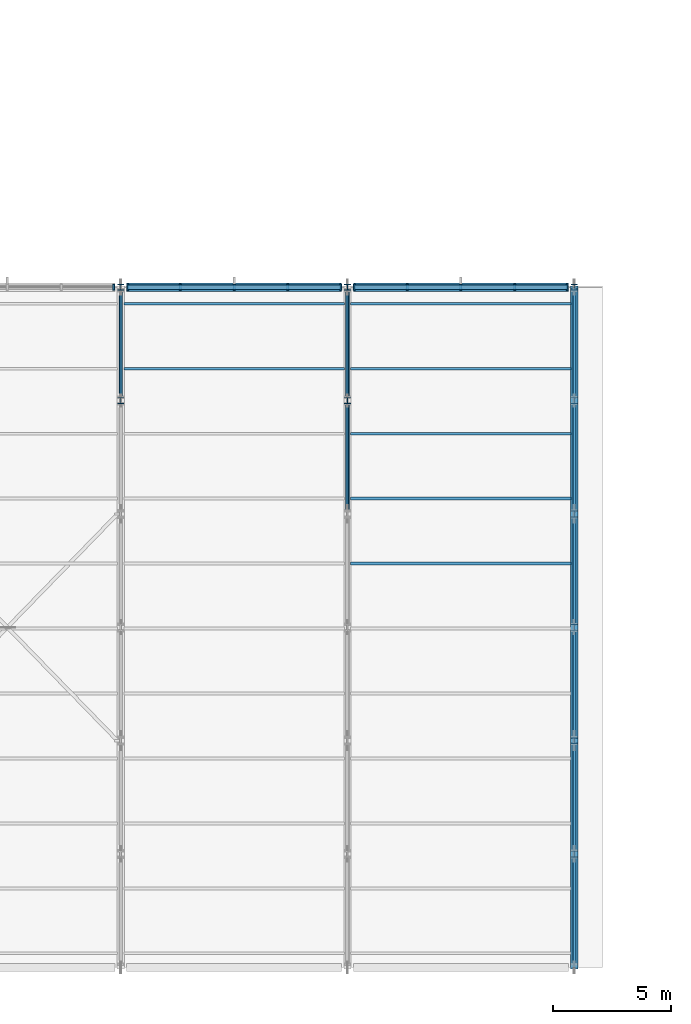
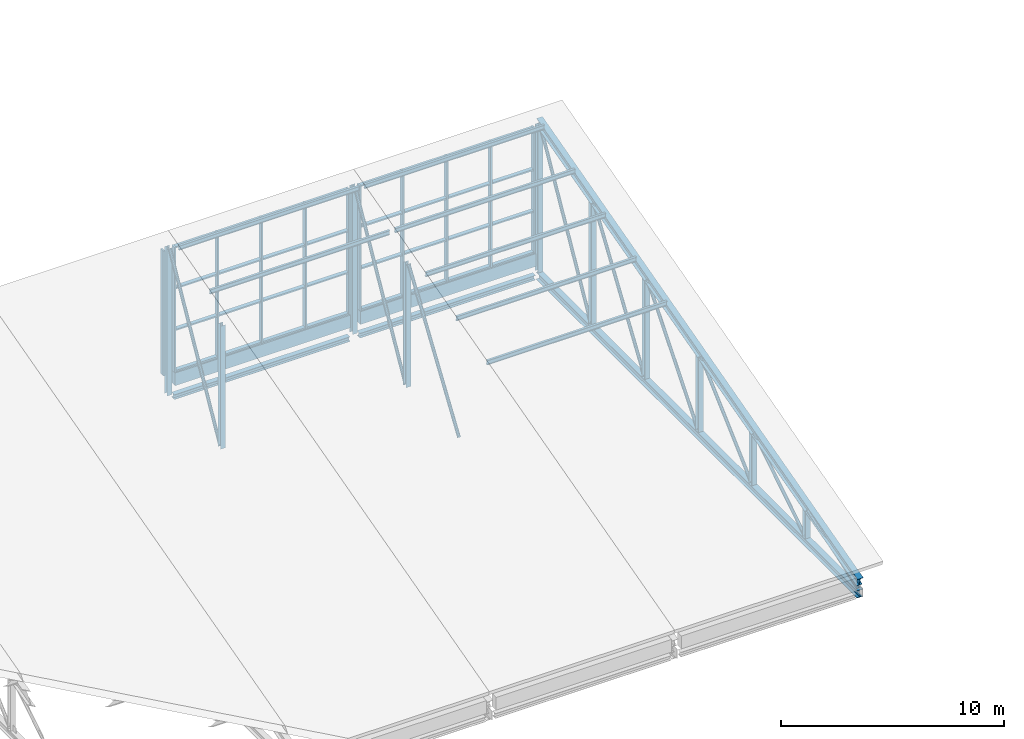
# One storey, part 10 of 57: 47 members, 4 beams, 3 elements without a shape of their own.
"""IFC4 building model written with IfcOpenShell, lengths in metres."""

from ifc_helpers import new_model, si_unit, direction, frame, origin, origin_2d, place, context, subcontext, project, spatial, rectangle, hollow_circle, i_section, extrude, material, material_profile, profile_set, type_object, element, aggregate, save


model = new_model("IFC4")

# Units and contexts
model_context = context("Model", 3, precision=1e-05, world=origin(), true_north=direction((0.0, 1.0)))
body_context = subcontext(model_context, "Body", "Model", "MODEL_VIEW")
ifc_project = project(units=[si_unit("LENGTHUNIT", "METRE"), si_unit("AREAUNIT", "SQUARE_METRE"), si_unit("VOLUMEUNIT", "CUBIC_METRE"), si_unit("PLANEANGLEUNIT", "RADIAN"), si_unit("MASSUNIT", "GRAM", prefix="KILO")], contexts=[model_context])

# Site, building, storey
site_placement = place(None, origin())
site = spatial("IfcSite", under=ifc_project, at=site_placement, CompositionType="ELEMENT")
building_placement = place(site_placement, origin())
building = spatial("IfcBuilding", under=site, at=building_placement, Name="Shalvenor Court Art Gallery", CompositionType="ELEMENT")
storey_placement = place(building_placement, frame((0.0, 0.0, 16.800048828125)))
storey = spatial("IfcBuildingStorey", under=building, at=storey_placement, Name="L03", CompositionType="ELEMENT", Elevation=16.800048828125)

# Curtain wall, member
ifc_material_1 = material(Name="Anodised aluminium and low-iron glass curtain wall", Category="aluminium")
curtain_wall_type = type_object("IfcCurtainWallType", Name="CW-NL-V4", PredefinedType="USERDEFINED", material=ifc_material_1)
curtain_wall_1_placement = place(storey_placement, origin())
curtain_wall_1 = element("IfcCurtainWall", 1, at=curtain_wall_1_placement, inside=storey, type_object=curtain_wall_type, Name="L03 V4 North Light Clerestory 5", ObjectType="CURTAIN WALL", PredefinedType="USERDEFINED")
ifc_material_2 = material(Name="Dark anodised bronze aluminium mullion", Category="aluminium")
ifc_material_profile_1 = material_profile(ifc_material_2, rectangle(XDim=0.080078125, YDim=0.239990234375, at=origin_2d()), Name="CWM-05")
ifc_profile_set_1 = profile_set([ifc_material_profile_1], Name="Dark anodised bronze aluminium mullion")
member_type_1 = type_object("IfcMemberType", Name="CWM-05", PredefinedType="MULLION", material=ifc_profile_set_1)
member_1_placement = place(storey_placement, frame((47.7099609375, 28.800048828125, 0.0), z_axis=(0.0, 0.0, 1.0), x_axis=(1.0, 0.0, 0.0)))
member_1 = element("IfcMember", 2, at=member_1_placement, type_object=member_type_1, Name="CW-NL-V4 mullion 5", PredefinedType="MULLION", context=body_context, shape_type="SweptSolid", body=[
    extrude(rectangle(XDim=0.080078125, YDim=0.239990234375, at=origin_2d()), origin(), (0.0, 0.0, 1.0), 6.849853515625),
])
aggregate(curtain_wall_1, [member_1])

# Curtain wall, members
curtain_wall_2_placement = place(storey_placement, origin())
curtain_wall_2 = element("IfcCurtainWall", 3, at=curtain_wall_2_placement, inside=storey, type_object=curtain_wall_type, Name="L03 V4 North Light Clerestory 6", ObjectType="CURTAIN WALL", PredefinedType="USERDEFINED")
member_2_placement = place(storey_placement, frame((48.2900390625, 28.800048828125, 0.0), z_axis=(0.0, 0.0, 1.0), x_axis=(1.0, 0.0, 0.0)))
member_2 = element("IfcMember", 4, at=member_2_placement, type_object=member_type_1, Name="CW-NL-V4 mullion 1", PredefinedType="MULLION", context=body_context, shape_type="SweptSolid", body=[
    extrude(rectangle(XDim=0.080078125, YDim=0.239990234375, at=origin_2d()), origin(), (0.0, 0.0, 1.0), 6.849853515625),
])
member_3_placement = place(storey_placement, frame((50.52490234375, 28.800048828125, 0.0), z_axis=(0.0, 0.0, 1.0), x_axis=(1.0, 0.0, 0.0)))
member_3 = element("IfcMember", 5, at=member_3_placement, type_object=member_type_1, Name="CW-NL-V4 mullion 2", PredefinedType="MULLION", context=body_context, shape_type="SweptSolid", body=[
    extrude(rectangle(XDim=0.080078125, YDim=0.239990234375, at=origin_2d()), origin(), (0.0, 0.0, 1.0), 6.849853515625),
])
member_4_placement = place(storey_placement, frame((52.800048828125, 28.800048828125, 0.0), z_axis=(0.0, 0.0, 1.0), x_axis=(1.0, 0.0, 0.0)))
member_4 = element("IfcMember", 6, at=member_4_placement, type_object=member_type_1, Name="CW-NL-V4 mullion 3", PredefinedType="MULLION", context=body_context, shape_type="SweptSolid", body=[
    extrude(rectangle(XDim=0.080078125, YDim=0.239990234375, at=origin_2d()), origin(), (0.0, 0.0, 1.0), 6.849853515625),
])
member_5_placement = place(storey_placement, frame((55.074951171875, 28.800048828125, 0.0), z_axis=(0.0, 0.0, 1.0), x_axis=(1.0, 0.0, 0.0)))
member_5 = element("IfcMember", 7, at=member_5_placement, type_object=member_type_1, Name="CW-NL-V4 mullion 4", PredefinedType="MULLION", context=body_context, shape_type="SweptSolid", body=[
    extrude(rectangle(XDim=0.080078125, YDim=0.239990234375, at=origin_2d()), origin(), (0.0, 0.0, 1.0), 6.849853515625),
])
member_6_placement = place(storey_placement, frame((57.31005859375, 28.800048828125, 0.0), z_axis=(0.0, 0.0, 1.0), x_axis=(1.0, 0.0, 0.0)))
member_6 = element("IfcMember", 8, at=member_6_placement, type_object=member_type_1, Name="CW-NL-V4 mullion 5", PredefinedType="MULLION", context=body_context, shape_type="SweptSolid", body=[
    extrude(rectangle(XDim=0.080078125, YDim=0.239990234375, at=origin_2d()), origin(), (0.0, 0.0, 1.0), 6.849853515625),
])

curtain_wall_3_placement = place(storey_placement, origin())
curtain_wall_3 = element("IfcCurtainWall", 9, at=curtain_wall_3_placement, inside=storey, type_object=curtain_wall_type, Name="L03 V4 North Light Clerestory 7", ObjectType="CURTAIN WALL", PredefinedType="USERDEFINED")
member_7_placement = place(storey_placement, frame((57.889892578125, 28.800048828125, 0.0), z_axis=(0.0, 0.0, 1.0), x_axis=(1.0, 0.0, 0.0)))
member_7 = element("IfcMember", 10, at=member_7_placement, type_object=member_type_1, Name="CW-NL-V4 mullion 1", PredefinedType="MULLION", context=body_context, shape_type="SweptSolid", body=[
    extrude(rectangle(XDim=0.080078125, YDim=0.239990234375, at=origin_2d()), origin(), (0.0, 0.0, 1.0), 6.849853515625),
])
member_8_placement = place(storey_placement, frame((60.125, 28.800048828125, 0.0), z_axis=(0.0, 0.0, 1.0), x_axis=(1.0, 0.0, 0.0)))
member_8 = element("IfcMember", 11, at=member_8_placement, type_object=member_type_1, Name="CW-NL-V4 mullion 2", PredefinedType="MULLION", context=body_context, shape_type="SweptSolid", body=[
    extrude(rectangle(XDim=0.080078125, YDim=0.239990234375, at=origin_2d()), origin(), (0.0, 0.0, 1.0), 6.849853515625),
])
member_9_placement = place(storey_placement, frame((62.39990234375, 28.800048828125, 0.0), z_axis=(0.0, 0.0, 1.0), x_axis=(1.0, 0.0, 0.0)))
member_9 = element("IfcMember", 12, at=member_9_placement, type_object=member_type_1, Name="CW-NL-V4 mullion 3", PredefinedType="MULLION", context=body_context, shape_type="SweptSolid", body=[
    extrude(rectangle(XDim=0.080078125, YDim=0.239990234375, at=origin_2d()), origin(), (0.0, 0.0, 1.0), 6.849853515625),
])
member_10_placement = place(storey_placement, frame((64.675048828125, 28.800048828125, 0.0), z_axis=(0.0, 0.0, 1.0), x_axis=(1.0, 0.0, 0.0)))
member_10 = element("IfcMember", 13, at=member_10_placement, type_object=member_type_1, Name="CW-NL-V4 mullion 4", PredefinedType="MULLION", context=body_context, shape_type="SweptSolid", body=[
    extrude(rectangle(XDim=0.080078125, YDim=0.239990234375, at=origin_2d()), origin(), (0.0, 0.0, 1.0), 6.849853515625),
])
member_11_placement = place(storey_placement, frame((66.909912109375, 28.800048828125, 0.0), z_axis=(0.0, 0.0, 1.0), x_axis=(1.0, 0.0, 0.0)))
member_11 = element("IfcMember", 14, at=member_11_placement, type_object=member_type_1, Name="CW-NL-V4 mullion 5", PredefinedType="MULLION", context=body_context, shape_type="SweptSolid", body=[
    extrude(rectangle(XDim=0.080078125, YDim=0.239990234375, at=origin_2d()), origin(), (0.0, 0.0, 1.0), 6.849853515625),
])

# Member
ifc_material_3 = material(Name="Dark anodised bronze aluminium transom", Category="aluminium")
ifc_material_profile_2 = material_profile(ifc_material_3, rectangle(XDim=0.2099609375, YDim=0.074951171875, at=origin_2d()), Name="CWT-05")
ifc_profile_set_2 = profile_set([ifc_material_profile_2], Name="Dark anodised bronze aluminium transom")
member_type_2 = type_object("IfcMemberType", Name="CWT-05", PredefinedType="USERDEFINED", material=ifc_profile_set_2)
member_12_placement = place(storey_placement, frame((48.2900390625, 28.800048828125, 0.037353515625), z_axis=(1.0, 0.0, 0.0), x_axis=(0.0, 1.0, 0.0)))
member_12 = element("IfcMember", 15, at=member_12_placement, type_object=member_type_2, Name="CW-NL-V4 transom 1", ObjectType="TRANSOM", PredefinedType="USERDEFINED", context=body_context, shape_type="SweptSolid", body=[
    extrude(rectangle(XDim=0.2099609375, YDim=0.074951171875, at=origin_2d()), origin(), (0.0, 0.0, 1.0), 9.02001953125),
])

member_13_placement = place(storey_placement, frame((48.2900390625, 28.800048828125, 2.283203125), z_axis=(1.0, 0.0, 0.0), x_axis=(0.0, 1.0, 0.0)))
member_13 = element("IfcMember", 16, at=member_13_placement, type_object=member_type_2, Name="CW-NL-V4 transom 2", ObjectType="TRANSOM", PredefinedType="USERDEFINED", context=body_context, shape_type="SweptSolid", body=[
    extrude(rectangle(XDim=0.2099609375, YDim=0.074951171875, at=origin_2d()), origin(), (0.0, 0.0, 1.0), 9.02001953125),
])

member_14_placement = place(storey_placement, frame((48.2900390625, 28.800048828125, 4.566650390625), z_axis=(1.0, 0.0, 0.0), x_axis=(0.0, 1.0, 0.0)))
member_14 = element("IfcMember", 17, at=member_14_placement, type_object=member_type_2, Name="CW-NL-V4 transom 3", ObjectType="TRANSOM", PredefinedType="USERDEFINED", context=body_context, shape_type="SweptSolid", body=[
    extrude(rectangle(XDim=0.2099609375, YDim=0.074951171875, at=origin_2d()), origin(), (0.0, 0.0, 1.0), 9.02001953125),
])

member_15_placement = place(storey_placement, frame((48.2900390625, 28.800048828125, 6.8125), z_axis=(1.0, 0.0, 0.0), x_axis=(0.0, 1.0, 0.0)))
member_15 = element("IfcMember", 18, at=member_15_placement, type_object=member_type_2, Name="CW-NL-V4 transom 4", ObjectType="TRANSOM", PredefinedType="USERDEFINED", context=body_context, shape_type="SweptSolid", body=[
    extrude(rectangle(XDim=0.2099609375, YDim=0.074951171875, at=origin_2d()), origin(), (0.0, 0.0, 1.0), 9.02001953125),
])

aggregate(curtain_wall_2, [member_2, member_3, member_4, member_5, member_6, member_12, member_13, member_14, member_15])

member_16_placement = place(storey_placement, frame((57.889892578125, 28.800048828125, 0.037353515625), z_axis=(1.0, 0.0, 0.0), x_axis=(0.0, 1.0, 0.0)))
member_16 = element("IfcMember", 19, at=member_16_placement, type_object=member_type_2, Name="CW-NL-V4 transom 1", ObjectType="TRANSOM", PredefinedType="USERDEFINED", context=body_context, shape_type="SweptSolid", body=[
    extrude(rectangle(XDim=0.2099609375, YDim=0.074951171875, at=origin_2d()), origin(), (0.0, 0.0, 1.0), 9.02001953125),
])

member_17_placement = place(storey_placement, frame((57.889892578125, 28.800048828125, 2.283203125), z_axis=(1.0, 0.0, 0.0), x_axis=(0.0, 1.0, 0.0)))
member_17 = element("IfcMember", 20, at=member_17_placement, type_object=member_type_2, Name="CW-NL-V4 transom 2", ObjectType="TRANSOM", PredefinedType="USERDEFINED", context=body_context, shape_type="SweptSolid", body=[
    extrude(rectangle(XDim=0.2099609375, YDim=0.074951171875, at=origin_2d()), origin(), (0.0, 0.0, 1.0), 9.02001953125),
])

member_18_placement = place(storey_placement, frame((57.889892578125, 28.800048828125, 4.566650390625), z_axis=(1.0, 0.0, 0.0), x_axis=(0.0, 1.0, 0.0)))
member_18 = element("IfcMember", 21, at=member_18_placement, type_object=member_type_2, Name="CW-NL-V4 transom 3", ObjectType="TRANSOM", PredefinedType="USERDEFINED", context=body_context, shape_type="SweptSolid", body=[
    extrude(rectangle(XDim=0.2099609375, YDim=0.074951171875, at=origin_2d()), origin(), (0.0, 0.0, 1.0), 9.02001953125),
])

member_19_placement = place(storey_placement, frame((57.889892578125, 28.800048828125, 6.8125), z_axis=(1.0, 0.0, 0.0), x_axis=(0.0, 1.0, 0.0)))
member_19 = element("IfcMember", 22, at=member_19_placement, type_object=member_type_2, Name="CW-NL-V4 transom 4", ObjectType="TRANSOM", PredefinedType="USERDEFINED", context=body_context, shape_type="SweptSolid", body=[
    extrude(rectangle(XDim=0.2099609375, YDim=0.074951171875, at=origin_2d()), origin(), (0.0, 0.0, 1.0), 9.02001953125),
])

aggregate(curtain_wall_3, [member_7, member_8, member_9, member_10, member_11, member_16, member_17, member_18, member_19])

# Members
ifc_material_4 = material(Name="Steel S355", Category="steel")
ifc_material_profile_3 = material_profile(ifc_material_4, i_section(OverallWidth=0.1201171875, OverallDepth=0.239990234375, WebThickness=0.006103515625, FlangeThickness=0.009765625, at=origin_2d()), Name="IPE 240")
ifc_profile_set_3 = profile_set([ifc_material_profile_3], Name="Steel S355")
member_type_3 = type_object("IfcMemberType", Name="PR-02", PredefinedType="PURLIN", material=ifc_profile_set_3)
for number, where, z_axis, x_axis, name in (
    (23, (48.135009765625, 25.35009765625, 6.4892578125), (1.0, 0.0, 0.0), (0.0, 1.0, 0.0), "L03 V4 Roof Purlin 6.10"),
    (24, (48.135009765625, 28.10009765625, 7.234130859375), (1.0, 0.0, 0.0), (0.0, 1.0, 0.0), "L03 V4 Roof Purlin 6.11"),
):
    element("IfcMember", number, at=place(storey_placement, frame(where, z_axis=z_axis, x_axis=x_axis)), inside=storey, type_object=member_type_3, Name=name, PredefinedType="PURLIN", context=body_context, shape_type="SweptSolid", body=[
        extrude(i_section(OverallWidth=0.1201171875, OverallDepth=0.239990234375, WebThickness=0.006103515625, FlangeThickness=0.009765625, at=origin_2d()), origin(), (0.0, 0.0, 1.0), 9.330078125),
    ])
for number, where, z_axis, x_axis, name in (
    (25, (57.735107421875, 17.10009765625, 4.2548828125), (1.0, 0.0, 0.0), (0.0, 1.0, 0.0), "L03 V4 Roof Purlin 7.7"),
    (26, (57.735107421875, 19.85009765625, 4.999755859375), (1.0, 0.0, 0.0), (0.0, 1.0, 0.0), "L03 V4 Roof Purlin 7.8"),
    (27, (57.735107421875, 22.60009765625, 5.744384765625), (1.0, 0.0, 0.0), (0.0, 1.0, 0.0), "L03 V4 Roof Purlin 7.9"),
    (28, (57.735107421875, 25.35009765625, 6.4892578125), (1.0, 0.0, 0.0), (0.0, 1.0, 0.0), "L03 V4 Roof Purlin 7.10"),
    (29, (57.735107421875, 28.10009765625, 7.234130859375), (1.0, 0.0, 0.0), (0.0, 1.0, 0.0), "L03 V4 Roof Purlin 7.11"),
):
    element("IfcMember", number, at=place(storey_placement, frame(where, z_axis=z_axis, x_axis=x_axis)), inside=storey, type_object=member_type_3, Name=name, PredefinedType="PURLIN", context=body_context, shape_type="SweptSolid", body=[
        extrude(i_section(OverallWidth=0.1201171875, OverallDepth=0.239990234375, WebThickness=0.006103515625, FlangeThickness=0.009765625, at=origin_2d()), origin(), (0.0, 0.0, 1.0), 9.329833984375),
    ])

# Beams
ifc_material_5 = material(Name="Concrete C40/50", Category="concrete")
ifc_material_profile_4 = material_profile(ifc_material_5, rectangle(XDim=0.35009765625, YDim=0.699951171875, at=origin_2d()), Name="RC 350x700")
ifc_profile_set_4 = profile_set([ifc_material_profile_4], Name="Concrete C40/50")
beam_type_1 = type_object("IfcBeamType", Name="SP-01", PredefinedType="SPANDREL", material=ifc_profile_set_4)
beam_1_placement = place(storey_placement, frame((48.25, 28.800048828125, -0.35009765625), z_axis=(1.0, 0.0, 0.0), x_axis=(0.0, 1.0, 0.0)))
element("IfcBeam", 30, at=beam_1_placement, inside=storey, type_object=beam_type_1, Name="L03 Spandrel Girder BM-L03-SP-01-1062", PredefinedType="SPANDREL", context=body_context, shape_type="SweptSolid", body=[
    extrude(rectangle(XDim=0.35009765625, YDim=0.699951171875, at=origin_2d()), origin(), (0.0, 0.0, 1.0), 9.10009765625),
])
beam_2_placement = place(storey_placement, frame((57.85009765625, 28.800048828125, -0.35009765625), z_axis=(1.0, 0.0, 0.0), x_axis=(0.0, 1.0, 0.0)))
element("IfcBeam", 31, at=beam_2_placement, inside=storey, type_object=beam_type_1, Name="L03 Spandrel Girder BM-L03-SP-01-1063", PredefinedType="SPANDREL", context=body_context, shape_type="SweptSolid", body=[
    extrude(rectangle(XDim=0.35009765625, YDim=0.699951171875, at=origin_2d()), origin(), (0.0, 0.0, 1.0), 9.099853515625),
])
ifc_material_6 = material(Name="Steel S355", Category="steel")
ifc_material_profile_5 = material_profile(ifc_material_6, i_section(OverallWidth=0.300048828125, OverallDepth=0.43994140625, WebThickness=0.011474609375, FlangeThickness=0.02099609375, at=origin_2d()), Name="HEA 450")
ifc_profile_set_5 = profile_set([ifc_material_profile_5], Name="Steel S355")
beam_type_2 = type_object("IfcBeamType", Name="TC-02", PredefinedType="USERDEFINED", material=ifc_profile_set_5)
beam_3_placement = place(storey_placement, frame((67.199951171875, 0.0, -0.708251953125), z_axis=(0.0, 0.965228135416, 0.261408964271), x_axis=(-1.0, 0.0, 0.0)))
element("IfcBeam", 32, at=beam_3_placement, inside=storey, type_object=beam_type_2, Name="TR-V4-08 Roof Truss Continuous Top Chord", ObjectType="ROOF TRUSS", PredefinedType="USERDEFINED", context=body_context, shape_type="SweptSolid", body=[
    extrude(i_section(OverallWidth=0.300048828125, OverallDepth=0.43994140625, WebThickness=0.011474609375, FlangeThickness=0.02099609375, at=origin_2d()), origin(), (0.0, 0.0, 1.0), 29.837646484375),
])
ifc_material_7 = material(Name="Steel S355", Category="steel")
ifc_material_profile_6 = material_profile(ifc_material_7, i_section(OverallWidth=0.300048828125, OverallDepth=0.39990234375, WebThickness=0.013427734375, FlangeThickness=0.02392578125, at=origin_2d()), Name="HEB 400")
ifc_profile_set_6 = profile_set([ifc_material_profile_6], Name="Steel S355")
beam_type_3 = type_object("IfcBeamType", Name="TC-04", PredefinedType="USERDEFINED", material=ifc_profile_set_6)
beam_4_placement = place(storey_placement, frame((67.199951171875, 0.0, -1.35009765625), z_axis=(0.0, 1.0, 0.0), x_axis=(-1.0, 0.0, 0.0)))
element("IfcBeam", 33, at=beam_4_placement, inside=storey, type_object=beam_type_3, Name="TR-V4-08 Roof Truss Continuous Bottom Chord", ObjectType="ROOF TRUSS", PredefinedType="USERDEFINED", context=body_context, shape_type="SweptSolid", body=[
    extrude(i_section(OverallWidth=0.300048828125, OverallDepth=0.39990234375, WebThickness=0.013427734375, FlangeThickness=0.02392578125, at=origin_2d()), origin(), (0.0, 0.0, 1.0), 28.800048828125),
])

# Members
ifc_material_8 = material(Name="Steel S355", Category="steel")
ifc_material_profile_7 = material_profile(ifc_material_8, i_section(OverallWidth=0.260009765625, OverallDepth=0.260009765625, WebThickness=0.010009765625, FlangeThickness=0.017578125, at=origin_2d()), Name="HEB 260")
ifc_profile_set_7 = profile_set([ifc_material_profile_7], Name="Steel S355")
member_type_4 = type_object("IfcMemberType", Name="TM-C1", PredefinedType="CHORD", material=ifc_profile_set_7)
member_20_placement = place(storey_placement, frame((48.25, 28.800048828125, -1.35009765625), z_axis=(1.0, 0.0, 0.0), x_axis=(0.0, 1.0, 0.0)))
element("IfcMember", 34, at=member_20_placement, inside=storey, type_object=member_type_4, Name="L03 V4 Eave Truss Chord Tie 6.2", PredefinedType="CHORD", context=body_context, shape_type="SweptSolid", body=[
    extrude(i_section(OverallWidth=0.260009765625, OverallDepth=0.260009765625, WebThickness=0.010009765625, FlangeThickness=0.017578125, at=origin_2d()), origin(), (0.0, 0.0, 1.0), 9.10009765625),
])
member_21_placement = place(storey_placement, frame((57.85009765625, 28.800048828125, -1.35009765625), z_axis=(1.0, 0.0, 0.0), x_axis=(0.0, 1.0, 0.0)))
element("IfcMember", 35, at=member_21_placement, inside=storey, type_object=member_type_4, Name="L03 V4 Eave Truss Chord Tie 7.2", PredefinedType="CHORD", context=body_context, shape_type="SweptSolid", body=[
    extrude(i_section(OverallWidth=0.260009765625, OverallDepth=0.260009765625, WebThickness=0.010009765625, FlangeThickness=0.017578125, at=origin_2d()), origin(), (0.0, 0.0, 1.0), 9.099853515625),
])
ifc_material_9 = material(Name="Steel S355", Category="steel")
ifc_material_profile_8 = material_profile(ifc_material_9, hollow_circle(Radius=0.084228515625, WallThickness=0.008056640625, at=origin_2d()), Name="CHS 168.3x8.0")
ifc_profile_set_8 = profile_set([ifc_material_profile_8], Name="Steel S355")
member_type_5 = type_object("IfcMemberType", Name="TM-D2", PredefinedType="BRACE", material=ifc_profile_set_8)
member_22_placement = place(storey_placement, frame((48.0, 24.139892578125, -1.16015625), z_axis=(0.0, 0.489975986484, 0.871735930583), x_axis=(-1.0, 0.0, 0.0)))
element("IfcMember", 36, at=member_22_placement, inside=storey, type_object=member_type_5, Name="TR-V4-06 Roof Truss Diagonal 6", PredefinedType="BRACE", context=body_context, shape_type="SweptSolid", body=[
    extrude(hollow_circle(Radius=0.084228515625, WallThickness=0.008056640625, at=origin_2d()), origin(), (0.0, 0.0, 1.0), 9.22509765625),
])
member_23_placement = place(storey_placement, frame((57.60009765625, 19.340087890625, -1.16015625), z_axis=(0.0, 0.556877845095, 0.830594405015), x_axis=(-1.0, 0.0, 0.0)))
element("IfcMember", 37, at=member_23_placement, inside=storey, type_object=member_type_5, Name="TR-V4-07 Roof Truss Diagonal 5", PredefinedType="BRACE", context=body_context, shape_type="SweptSolid", body=[
    extrude(hollow_circle(Radius=0.084228515625, WallThickness=0.008056640625, at=origin_2d()), origin(), (0.0, 0.0, 1.0), 8.11669921875),
])
member_24_placement = place(storey_placement, frame((57.60009765625, 24.139892578125, -1.16015625), z_axis=(0.0, 0.489975986484, 0.871735930583), x_axis=(-1.0, 0.0, 0.0)))
element("IfcMember", 38, at=member_24_placement, inside=storey, type_object=member_type_5, Name="TR-V4-07 Roof Truss Diagonal 6", PredefinedType="BRACE", context=body_context, shape_type="SweptSolid", body=[
    extrude(hollow_circle(Radius=0.084228515625, WallThickness=0.008056640625, at=origin_2d()), origin(), (0.0, 0.0, 1.0), 9.22509765625),
])
member_25_placement = place(storey_placement, frame((67.199951171875, 0.139892578125, -1.16015625), z_axis=(0.0, 0.946456948747, 0.322830054625), x_axis=(-1.0, 0.0, 0.0)))
element("IfcMember", 39, at=member_25_placement, inside=storey, type_object=member_type_5, Name="TR-V4-08 Roof Truss Diagonal 1", PredefinedType="BRACE", context=body_context, shape_type="SweptSolid", body=[
    extrude(hollow_circle(Radius=0.084228515625, WallThickness=0.008056640625, at=origin_2d()), origin(), (0.0, 0.0, 1.0), 4.775634765625),
])
member_26_placement = place(storey_placement, frame((67.199951171875, 4.93994140625, -1.16015625), z_axis=(0.0, 0.84658238997, 0.532257697918), x_axis=(-1.0, 0.0, 0.0)))
element("IfcMember", 40, at=member_26_placement, inside=storey, type_object=member_type_5, Name="TR-V4-08 Roof Truss Diagonal 2", PredefinedType="BRACE", context=body_context, shape_type="SweptSolid", body=[
    extrude(hollow_circle(Radius=0.084228515625, WallThickness=0.008056640625, at=origin_2d()), origin(), (0.0, 0.0, 1.0), 5.339111328125),
])
member_27_placement = place(storey_placement, frame((67.199951171875, 9.739990234375, -1.16015625), z_axis=(0.0, 0.737276451266, 0.675591174016), x_axis=(-1.0, 0.0, 0.0)))
element("IfcMember", 41, at=member_27_placement, inside=storey, type_object=member_type_5, Name="TR-V4-08 Roof Truss Diagonal 3", PredefinedType="BRACE", context=body_context, shape_type="SweptSolid", body=[
    extrude(hollow_circle(Radius=0.084228515625, WallThickness=0.008056640625, at=origin_2d()), origin(), (0.0, 0.0, 1.0), 6.130615234375),
])
member_28_placement = place(storey_placement, frame((67.199951171875, 14.5400390625, -1.16015625), z_axis=(0.0, 0.638941157708, 0.769255612256), x_axis=(-1.0, 0.0, 0.0)))
element("IfcMember", 42, at=member_28_placement, inside=storey, type_object=member_type_5, Name="TR-V4-08 Roof Truss Diagonal 4", PredefinedType="BRACE", context=body_context, shape_type="SweptSolid", body=[
    extrude(hollow_circle(Radius=0.084228515625, WallThickness=0.008056640625, at=origin_2d()), origin(), (0.0, 0.0, 1.0), 7.07421875),
])
member_29_placement = place(storey_placement, frame((67.199951171875, 19.340087890625, -1.16015625), z_axis=(0.0, 0.556877845095, 0.830594405015), x_axis=(-1.0, 0.0, 0.0)))
element("IfcMember", 43, at=member_29_placement, inside=storey, type_object=member_type_5, Name="TR-V4-08 Roof Truss Diagonal 5", PredefinedType="BRACE", context=body_context, shape_type="SweptSolid", body=[
    extrude(hollow_circle(Radius=0.084228515625, WallThickness=0.008056640625, at=origin_2d()), origin(), (0.0, 0.0, 1.0), 8.11669921875),
])
member_30_placement = place(storey_placement, frame((67.199951171875, 24.139892578125, -1.16015625), z_axis=(0.0, 0.489975986484, 0.871735930583), x_axis=(-1.0, 0.0, 0.0)))
element("IfcMember", 44, at=member_30_placement, inside=storey, type_object=member_type_5, Name="TR-V4-08 Roof Truss Diagonal 6", PredefinedType="BRACE", context=body_context, shape_type="SweptSolid", body=[
    extrude(hollow_circle(Radius=0.084228515625, WallThickness=0.008056640625, at=origin_2d()), origin(), (0.0, 0.0, 1.0), 9.22509765625),
])
ifc_material_10 = material(Name="Steel S355", Category="steel")
ifc_material_profile_9 = material_profile(ifc_material_10, i_section(OverallWidth=0.260009765625, OverallDepth=0.260009765625, WebThickness=0.010009765625, FlangeThickness=0.017578125, at=origin_2d()), Name="HEB 260")
ifc_profile_set_9 = profile_set([ifc_material_profile_9], Name="Steel S355")
member_type_6 = type_object("IfcMemberType", Name="TM-V1", PredefinedType="STRUT", material=ifc_profile_set_9)
member_31_placement = place(storey_placement, frame((48.0, 24.0, -1.155029296875), z_axis=(0.0, 0.0, 1.0), x_axis=(1.0, 0.0, 0.0)))
element("IfcMember", 45, at=member_31_placement, inside=storey, type_object=member_type_6, Name="TR-V4-06 Roof Truss Vertical 6", PredefinedType="STRUT", context=body_context, shape_type="SweptSolid", body=[
    extrude(i_section(OverallWidth=0.260009765625, OverallDepth=0.260009765625, WebThickness=0.010009765625, FlangeThickness=0.017578125, at=origin_2d()), origin(), (0.0, 0.0, 1.0), 6.731689453125),
])
member_32_placement = place(storey_placement, frame((48.0, 28.800048828125, -1.155029296875), z_axis=(0.0, 0.0, 1.0), x_axis=(1.0, 0.0, 0.0)))
element("IfcMember", 46, at=member_32_placement, inside=storey, type_object=member_type_6, Name="TR-V4-06 Roof Truss Vertical 7", PredefinedType="STRUT", context=body_context, shape_type="SweptSolid", body=[
    extrude(i_section(OverallWidth=0.260009765625, OverallDepth=0.260009765625, WebThickness=0.010009765625, FlangeThickness=0.017578125, at=origin_2d()), origin(), (0.0, 0.0, 1.0), 8.03173828125),
])
member_33_placement = place(storey_placement, frame((57.60009765625, 24.0, -1.155029296875), z_axis=(0.0, 0.0, 1.0), x_axis=(1.0, 0.0, 0.0)))
element("IfcMember", 47, at=member_33_placement, inside=storey, type_object=member_type_6, Name="TR-V4-07 Roof Truss Vertical 6", PredefinedType="STRUT", context=body_context, shape_type="SweptSolid", body=[
    extrude(i_section(OverallWidth=0.260009765625, OverallDepth=0.260009765625, WebThickness=0.010009765625, FlangeThickness=0.017578125, at=origin_2d()), origin(), (0.0, 0.0, 1.0), 6.731689453125),
])
member_34_placement = place(storey_placement, frame((57.60009765625, 28.800048828125, -1.155029296875), z_axis=(0.0, 0.0, 1.0), x_axis=(1.0, 0.0, 0.0)))
element("IfcMember", 48, at=member_34_placement, inside=storey, type_object=member_type_6, Name="TR-V4-07 Roof Truss Vertical 7", PredefinedType="STRUT", context=body_context, shape_type="SweptSolid", body=[
    extrude(i_section(OverallWidth=0.260009765625, OverallDepth=0.260009765625, WebThickness=0.010009765625, FlangeThickness=0.017578125, at=origin_2d()), origin(), (0.0, 0.0, 1.0), 8.03173828125),
])
member_35_placement = place(storey_placement, frame((67.199951171875, 4.800048828125, -1.155029296875), z_axis=(0.0, 0.0, 1.0), x_axis=(1.0, 0.0, 0.0)))
element("IfcMember", 49, at=member_35_placement, inside=storey, type_object=member_type_6, Name="TR-V4-08 Roof Truss Vertical 2", PredefinedType="STRUT", context=body_context, shape_type="SweptSolid", body=[
    extrude(i_section(OverallWidth=0.260009765625, OverallDepth=0.260009765625, WebThickness=0.010009765625, FlangeThickness=0.017578125, at=origin_2d()), origin(), (0.0, 0.0, 1.0), 1.53173828125),
])
member_36_placement = place(storey_placement, frame((67.199951171875, 9.60009765625, -1.155029296875), z_axis=(0.0, 0.0, 1.0), x_axis=(1.0, 0.0, 0.0)))
element("IfcMember", 50, at=member_36_placement, inside=storey, type_object=member_type_6, Name="TR-V4-08 Roof Truss Vertical 3", PredefinedType="STRUT", context=body_context, shape_type="SweptSolid", body=[
    extrude(i_section(OverallWidth=0.260009765625, OverallDepth=0.260009765625, WebThickness=0.010009765625, FlangeThickness=0.017578125, at=origin_2d()), origin(), (0.0, 0.0, 1.0), 2.831787109375),
])
member_37_placement = place(storey_placement, frame((67.199951171875, 14.39990234375, -1.155029296875), z_axis=(0.0, 0.0, 1.0), x_axis=(1.0, 0.0, 0.0)))
element("IfcMember", 51, at=member_37_placement, inside=storey, type_object=member_type_6, Name="TR-V4-08 Roof Truss Vertical 4", PredefinedType="STRUT", context=body_context, shape_type="SweptSolid", body=[
    extrude(i_section(OverallWidth=0.260009765625, OverallDepth=0.260009765625, WebThickness=0.010009765625, FlangeThickness=0.017578125, at=origin_2d()), origin(), (0.0, 0.0, 1.0), 4.131591796875),
])
member_38_placement = place(storey_placement, frame((67.199951171875, 19.199951171875, -1.155029296875), z_axis=(0.0, 0.0, 1.0), x_axis=(1.0, 0.0, 0.0)))
element("IfcMember", 52, at=member_38_placement, inside=storey, type_object=member_type_6, Name="TR-V4-08 Roof Truss Vertical 5", PredefinedType="STRUT", context=body_context, shape_type="SweptSolid", body=[
    extrude(i_section(OverallWidth=0.260009765625, OverallDepth=0.260009765625, WebThickness=0.010009765625, FlangeThickness=0.017578125, at=origin_2d()), origin(), (0.0, 0.0, 1.0), 5.431640625),
])
member_39_placement = place(storey_placement, frame((67.199951171875, 24.0, -1.155029296875), z_axis=(0.0, 0.0, 1.0), x_axis=(1.0, 0.0, 0.0)))
element("IfcMember", 53, at=member_39_placement, inside=storey, type_object=member_type_6, Name="TR-V4-08 Roof Truss Vertical 6", PredefinedType="STRUT", context=body_context, shape_type="SweptSolid", body=[
    extrude(i_section(OverallWidth=0.260009765625, OverallDepth=0.260009765625, WebThickness=0.010009765625, FlangeThickness=0.017578125, at=origin_2d()), origin(), (0.0, 0.0, 1.0), 6.731689453125),
])
member_40_placement = place(storey_placement, frame((67.199951171875, 28.800048828125, -1.155029296875), z_axis=(0.0, 0.0, 1.0), x_axis=(1.0, 0.0, 0.0)))
element("IfcMember", 54, at=member_40_placement, inside=storey, type_object=member_type_6, Name="TR-V4-08 Roof Truss Vertical 7", PredefinedType="STRUT", context=body_context, shape_type="SweptSolid", body=[
    extrude(i_section(OverallWidth=0.260009765625, OverallDepth=0.260009765625, WebThickness=0.010009765625, FlangeThickness=0.017578125, at=origin_2d()), origin(), (0.0, 0.0, 1.0), 8.03173828125),
])

save(model, "model.ifc")
